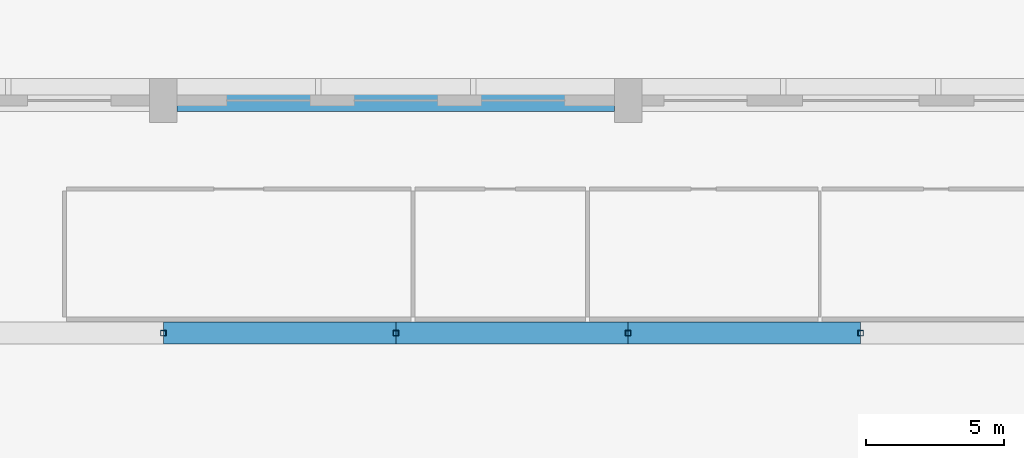
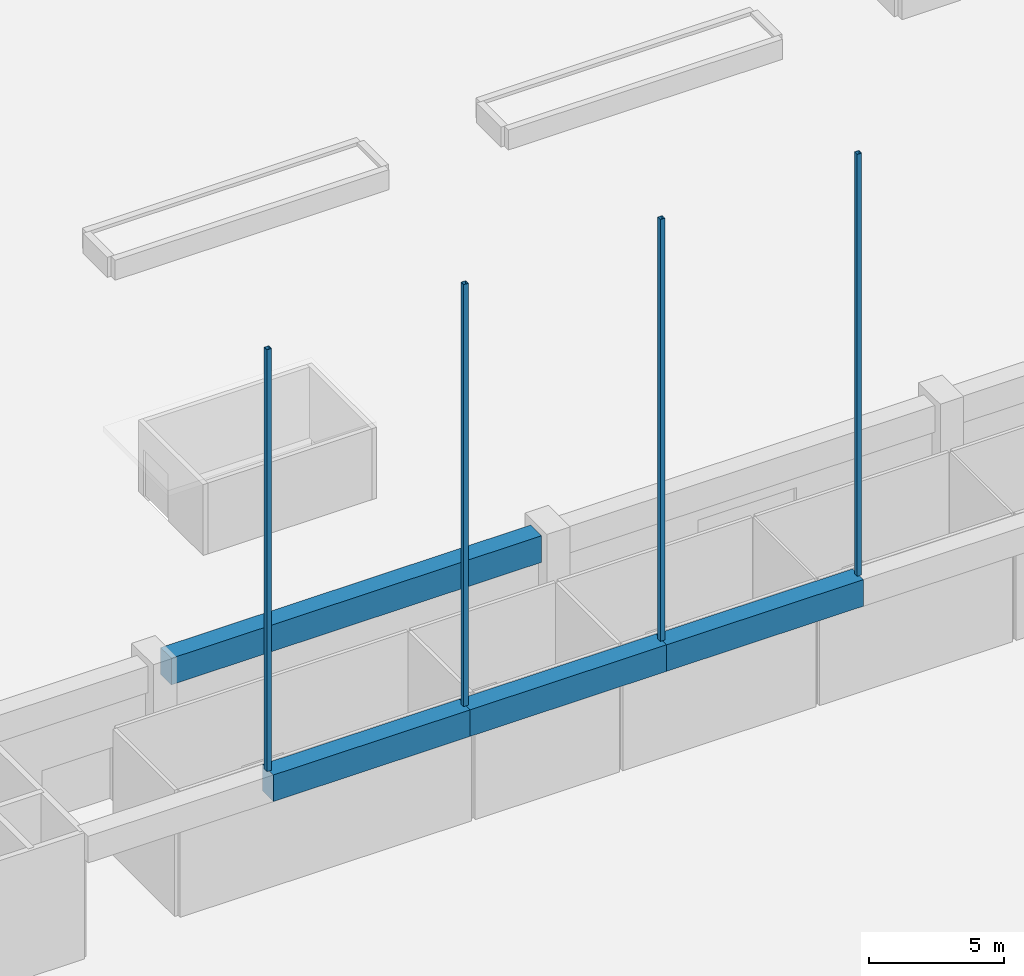
# One storey, part 67 of 210: 4 beams, 4 members.
"""IFC4 building model written with IfcOpenShell, lengths in metres."""

from ifc_helpers import new_model, si_unit, direction, frame, origin, origin_2d, place, context, subcontext, project, spatial, rectangle, hollow_rectangle, extrude, material, material_profile, profile_set, type_object, element, save


model = new_model("IFC4")

# Units and contexts
model_context = context("Model", 3, precision=1e-05, world=origin(), true_north=direction((0.0, 1.0)))
body_context = subcontext(model_context, "Body", "Model", "MODEL_VIEW")
ifc_project = project(units=[si_unit("LENGTHUNIT", "METRE"), si_unit("AREAUNIT", "SQUARE_METRE"), si_unit("VOLUMEUNIT", "CUBIC_METRE"), si_unit("PLANEANGLEUNIT", "RADIAN"), si_unit("MASSUNIT", "GRAM", prefix="KILO")], contexts=[model_context])

# Site, building, storey
site_placement = place(None, origin())
site = spatial("IfcSite", under=ifc_project, at=site_placement, CompositionType="ELEMENT")
building_placement = place(site_placement, origin())
building = spatial("IfcBuilding", under=site, at=building_placement, Name="Rain Tree Exposition and Congress Centre", CompositionType="ELEMENT")
storey_placement = place(building_placement, origin())
storey = spatial("IfcBuildingStorey", under=building, at=storey_placement, Name="L00", CompositionType="ELEMENT", Elevation=0.0)

# Beams
ifc_material_1 = material(Name="Precast concrete C50/60", Category="concrete")
ifc_material_profile_1 = material_profile(ifc_material_1, rectangle(XDim=0.800048828125, YDim=1.199951171875, at=origin_2d()), Name="RC 800x1200")
ifc_profile_set_1 = profile_set([ifc_material_profile_1], Name="Precast concrete C50/60")
beam_type = type_object("IfcBeamType", Name="Precast beam 800x1200", PredefinedType="BEAM", material=ifc_profile_set_1)
beam_1_placement = place(storey_placement, frame((160.10009765625, 201.60009765625, 5.10009765625), z_axis=(1.0, 0.0, 0.0), x_axis=(0.0, 1.0, 0.0)))
element("IfcBeam", 1, at=beam_1_placement, inside=storey, type_object=beam_type, Name="Gallery perimeter beam 8", PredefinedType="BEAM", context=body_context, shape_type="SweptSolid", body=[
    extrude(rectangle(XDim=0.800048828125, YDim=1.199951171875, at=origin_2d()), origin(), (0.0, 0.0, 1.0), 15.7998046875),
])
for number, where, z_axis, x_axis, name in (
    (2, (159.60009765625, 193.199951171875, 5.10009765625), (1.0, 0.0, 0.0), (0.0, 1.0, 0.0), "Gallery edge beam 21"),
    (3, (168.0, 193.199951171875, 5.10009765625), (1.0, 0.0, 0.0), (0.0, 1.0, 0.0), "Gallery edge beam 22"),
):
    element("IfcBeam", number, at=place(storey_placement, frame(where, z_axis=z_axis, x_axis=x_axis)), inside=storey, type_object=beam_type, Name=name, PredefinedType="BEAM", context=body_context, shape_type="SweptSolid", body=[
        extrude(rectangle(XDim=0.800048828125, YDim=1.199951171875, at=origin_2d()), origin(), (0.0, 0.0, 1.0), 8.39990234375),
    ])
beam_2_placement = place(storey_placement, frame((176.39990234375, 193.199951171875, 5.10009765625), z_axis=(1.0, 0.0, 0.0), x_axis=(0.0, 1.0, 0.0)))
element("IfcBeam", 4, at=beam_2_placement, inside=storey, type_object=beam_type, Name="Gallery edge beam 23", PredefinedType="BEAM", context=body_context, shape_type="SweptSolid", body=[
    extrude(rectangle(XDim=0.800048828125, YDim=1.199951171875, at=origin_2d()), origin(), (0.0, 0.0, 1.0), 8.400146484375),
])

# Members
ifc_material_2 = material(Name="Steel S355J2H", Category="steel")
ifc_material_profile_2 = material_profile(ifc_material_2, hollow_rectangle(XDim=0.199951171875, YDim=0.199951171875, WallThickness=0.009033203125, at=origin_2d()), Name="RHS 200x200x9")
ifc_profile_set_2 = profile_set([ifc_material_profile_2], Name="Steel S355J2H")
member_type = type_object("IfcMemberType", Name="Steel member member RHS 200x200x9", PredefinedType="MEMBER", material=ifc_profile_set_2)
for number, where, z_axis, x_axis, name in (
    (5, (159.60009765625, 193.199951171875, 5.699951171875), (0.0, 0.0, 1.0), (1.0, 0.0, 0.0), "Gallery hanger 30"),
    (6, (168.0, 193.199951171875, 5.699951171875), (0.0, 0.0, 1.0), (1.0, 0.0, 0.0), "Gallery hanger 31"),
    (7, (176.39990234375, 193.199951171875, 5.699951171875), (0.0, 0.0, 1.0), (1.0, 0.0, 0.0), "Gallery hanger 32"),
    (8, (184.800048828125, 193.199951171875, 5.699951171875), (0.0, 0.0, 1.0), (1.0, 0.0, 0.0), "Gallery hanger 33"),
):
    element("IfcMember", number, at=place(storey_placement, frame(where, z_axis=z_axis, x_axis=x_axis)), inside=storey, type_object=member_type, Name=name, PredefinedType="MEMBER", context=body_context, shape_type="SweptSolid", body=[
        extrude(hollow_rectangle(XDim=0.199951171875, YDim=0.199951171875, WallThickness=0.009033203125, at=origin_2d()), origin(), (0.0, 0.0, 1.0), 19.0439453125),
    ])

save(model, "model.ifc")
